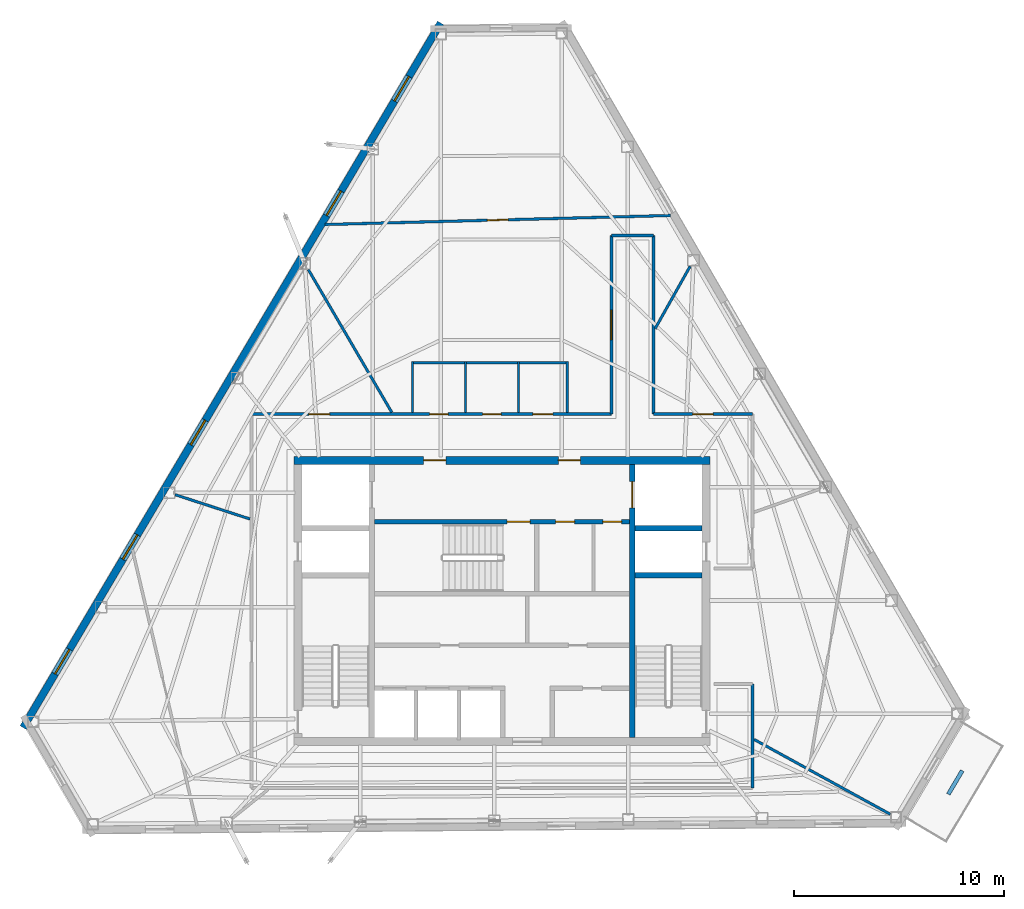
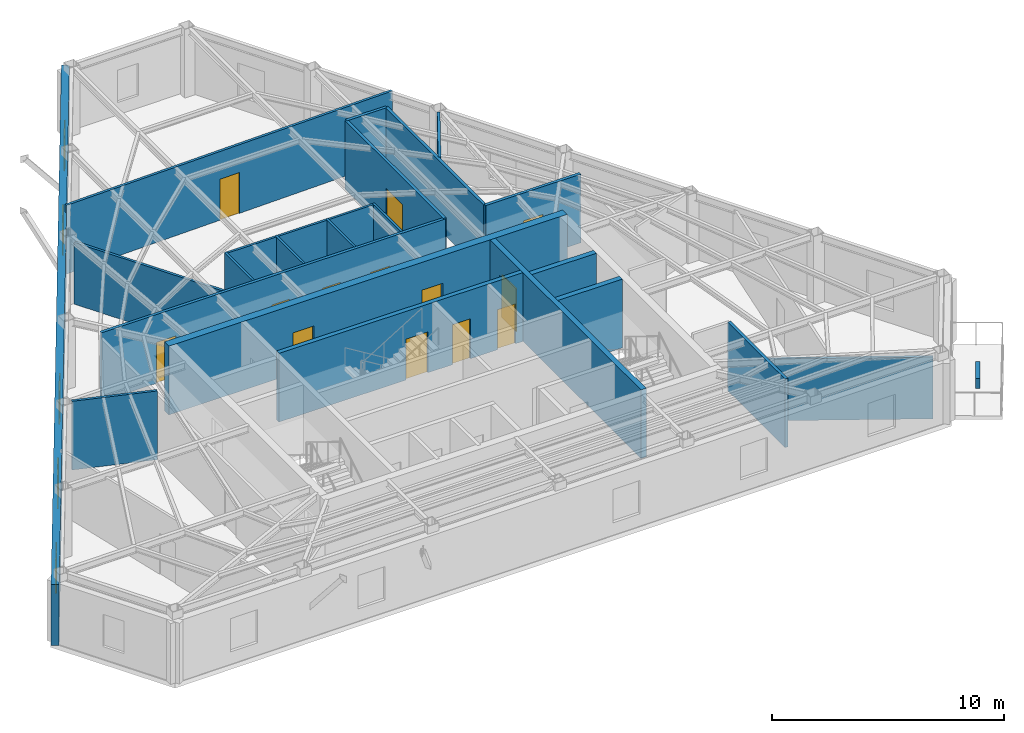
# One storey, part 7 of 10: 23 walls, 13 doors, 5 windows, 18 openings.
"""IFC4 building model written with IfcOpenShell, lengths in metres."""

from ifc_helpers import new_model, si_unit, direction, frame, frame_2d, origin, place, context, subcontext, project, spatial, rectangle, extrude, material, layer, layer_set, type_object, element, fill, save


model = new_model("IFC4")

# Units and contexts
model_context = context("Model", 3, precision=1e-05, world=origin(), true_north=direction((0.0, 1.0)))
body_context = subcontext(model_context, "Body", "Model", "MODEL_VIEW")
ifc_project = project(units=[si_unit("LENGTHUNIT", "METRE"), si_unit("AREAUNIT", "SQUARE_METRE"), si_unit("VOLUMEUNIT", "CUBIC_METRE"), si_unit("PLANEANGLEUNIT", "RADIAN"), si_unit("MASSUNIT", "GRAM", prefix="KILO")], contexts=[model_context])

# Site, building, storey
site_placement = place(None, origin())
site = spatial("IfcSite", under=ifc_project, at=site_placement, CompositionType="ELEMENT")
building_placement = place(site_placement, origin())
building = spatial("IfcBuilding", under=site, at=building_placement, Name="Kavelnor Concourse Tower", CompositionType="ELEMENT")
storey_placement = place(building_placement, frame((0.0, 0.0, 281.85009765625)))
storey = spatial("IfcBuildingStorey", under=building, at=storey_placement, Name="L71", CompositionType="ELEMENT", Elevation=281.85009765625)

# Wall, openings, doors
ifc_material_1 = material(Name="Concrete C50/60", Category="concrete")
ifc_layer_1 = layer(ifc_material_1, 0.3798828125, Name="Concrete C50/60")
ifc_layer_set_1 = layer_set([ifc_layer_1], Name="Concrete C50/60")
wall_type_1 = type_object("IfcWallType", Name="WL-CORE-Z4-380", PredefinedType="SOLIDWALL", material=ifc_layer_set_1)
wall_1_placement = place(storey_placement, frame((28.10009765625, 22.7900390625, 0.0), z_axis=(0.0, 0.0, 1.0), x_axis=(1.0, 0.0, 0.0)))
wall_1 = element("IfcWall", 1, at=wall_1_placement, inside=storey, type_object=wall_type_1, Name="L71 Central Core North Shear Wall", PredefinedType="SOLIDWALL", context=body_context, shape_type="SweptSolid", body=[
    extrude(rectangle(XDim=19.7998046875, YDim=0.3798828125, at=frame_2d((9.89990234375, 0.0))), origin(), (0.0, 0.0, 1.0), 3.60986328125),
])
opening_1_placement = place(wall_1_placement, frame((6.175048828125, 0.0, 0.0)))
opening_1 = element("IfcOpeningElement", 2, at=opening_1_placement, cuts=wall_1, Name="Opening FD-105", PredefinedType="OPENING", context=body_context, shape_type="SweptSolid", body=[
    extrude(rectangle(XDim=1.050048828125, YDim=2.14990234375, at=frame_2d((0.52490234375, 1.074951171875))), frame((0.0, 0.199951171875, 0.0), z_axis=(0.0, -1.0, 0.0), x_axis=(1.0, 0.0, 0.0)), (0.0, 0.0, 1.0), 0.39990234375),
])
opening_2_placement = place(wall_1_placement, frame((12.574951171875, 0.0, 0.0)))
opening_2 = element("IfcOpeningElement", 3, at=opening_2_placement, cuts=wall_1, Name="Opening FD-105", PredefinedType="OPENING", context=body_context, shape_type="SweptSolid", body=[
    extrude(rectangle(XDim=1.050048828125, YDim=2.14990234375, at=frame_2d((0.52490234375, 1.074951171875))), frame((0.0, 0.199951171875, 0.0), z_axis=(0.0, -1.0, 0.0), x_axis=(1.0, 0.0, 0.0)), (0.0, 0.0, 1.0), 0.39990234375),
])
ifc_material_2 = material(Name="Steel Grade 350", Category="steel")
door_type_1 = type_object("IfcDoorType", Name="DR-LOBBY-FIRE-1050", OperationType="NOTDEFINED", PredefinedType="DOOR", material=ifc_material_2)
door_1_placement = place(opening_1_placement, origin())
door_1 = element("IfcDoor", 4, at=door_1_placement, inside=storey, type_object=door_type_1, Name="L71 Emergency Lift Lobby West Door", OperationType="SINGLE_SWING_LEFT", OverallHeight=2.14990234375, OverallWidth=1.050048828125, PredefinedType="DOOR", context=body_context, shape_type="SweptSolid", body=[
    extrude(rectangle(XDim=1.050048828125, YDim=2.14990234375, at=frame_2d((0.52490234375, 1.074951171875))), frame((0.0, 0.02490234375, 0.0), z_axis=(0.0, -1.0, 0.0), x_axis=(1.0, 0.0, 0.0)), (0.0, 0.0, 1.0), 0.050048828125),
])
fill(opening_1, door_1)
door_2_placement = place(opening_2_placement, origin())
door_2 = element("IfcDoor", 5, at=door_2_placement, inside=storey, type_object=door_type_1, Name="L71 Emergency Lift Lobby East Door", OperationType="SINGLE_SWING_RIGHT", OverallHeight=2.14990234375, OverallWidth=1.050048828125, PredefinedType="DOOR", context=body_context, shape_type="SweptSolid", body=[
    extrude(rectangle(XDim=1.050048828125, YDim=2.14990234375, at=frame_2d((0.52490234375, 1.074951171875))), frame((0.0, 0.02490234375, 0.0), z_axis=(0.0, -1.0, 0.0), x_axis=(1.0, 0.0, 0.0)), (0.0, 0.0, 1.0), 0.050048828125),
])
fill(opening_2, door_2)

# Wall, openings, windows
ifc_material_3 = material(Name="Red-ochre clay face brick masonry", Category="masonry")
ifc_layer_2 = layer(ifc_material_3, 0.35009765625, Name="Red-ochre clay face brick masonry")
ifc_layer_set_2 = layer_set([ifc_layer_2], Name="Red-ochre clay face brick masonry")
wall_type_2 = type_object("IfcWallType", Name="WL-EXT-RED-BRICK-PIER-350", PredefinedType="STANDARD", material=ifc_layer_set_2)
wall_2_placement = place(storey_placement, frame((15.219482421875, 10.07568359375, 0.0), z_axis=(0.0, 0.0, 1.0), x_axis=(0.509799642177, 0.860293162147, 0.0)))
wall_2 = element("IfcWall", 6, at=wall_2_placement, inside=storey, type_object=wall_type_2, Name="L71 Exterior Brick Facade Wall E1", PredefinedType="STANDARD", context=body_context, shape_type="SweptSolid", body=[
    extrude(rectangle(XDim=38.962890625, YDim=0.35009765625, at=frame_2d((19.4814453125, 0.0))), origin(), (0.0, 0.0, 1.0), 3.19580078125),
])
opening_3_placement = place(wall_2_placement, frame((34.649658203125, 0.0, 0.64990234375)))
opening_3 = element("IfcOpeningElement", 7, at=opening_3_placement, cuts=wall_2, Name="Opening W-04", PredefinedType="OPENING", context=body_context, shape_type="SweptSolid", body=[
    extrude(rectangle(XDim=1.35009765625, YDim=1.75, at=frame_2d((0.675048828125, 0.875))), frame((0.0, 0.18505859375, 0.0), z_axis=(0.0, -1.0, 0.0), x_axis=(1.0, 0.0, 0.0)), (0.0, 0.0, 1.0), 0.3701171875),
])
opening_4_placement = place(wall_2_placement, frame((28.314453125, 0.0, 0.64990234375)))
opening_4 = element("IfcOpeningElement", 8, at=opening_4_placement, cuts=wall_2, Name="Opening W-04", PredefinedType="OPENING", context=body_context, shape_type="SweptSolid", body=[
    extrude(rectangle(XDim=1.35009765625, YDim=1.75, at=frame_2d((0.675048828125, 0.875))), frame((0.0, 0.18505859375, 0.0), z_axis=(0.0, -1.0, 0.0), x_axis=(1.0, 0.0, 0.0)), (0.0, 0.0, 1.0), 0.3701171875),
])
opening_5_placement = place(wall_2_placement, frame((15.64453125, 0.0, 0.64990234375)))
opening_5 = element("IfcOpeningElement", 9, at=opening_5_placement, cuts=wall_2, Name="Opening W-04", PredefinedType="OPENING", context=body_context, shape_type="SweptSolid", body=[
    extrude(rectangle(XDim=1.35009765625, YDim=1.75, at=frame_2d((0.675048828125, 0.875))), frame((0.0, 0.18505859375, 0.0), z_axis=(0.0, -1.0, 0.0), x_axis=(1.0, 0.0, 0.0)), (0.0, 0.0, 1.0), 0.3701171875),
])
opening_6_placement = place(wall_2_placement, frame((9.309326171875, 0.0, 0.64990234375)))
opening_6 = element("IfcOpeningElement", 10, at=opening_6_placement, cuts=wall_2, Name="Opening W-04", PredefinedType="OPENING", context=body_context, shape_type="SweptSolid", body=[
    extrude(rectangle(XDim=1.35009765625, YDim=1.75, at=frame_2d((0.675048828125, 0.875))), frame((0.0, 0.18505859375, 0.0), z_axis=(0.0, -1.0, 0.0), x_axis=(1.0, 0.0, 0.0)), (0.0, 0.0, 1.0), 0.3701171875),
])
opening_7_placement = place(wall_2_placement, frame((2.974365234375, 0.0, 0.64990234375)))
opening_7 = element("IfcOpeningElement", 11, at=opening_7_placement, cuts=wall_2, Name="Opening W-04", PredefinedType="OPENING", context=body_context, shape_type="SweptSolid", body=[
    extrude(rectangle(XDim=1.35009765625, YDim=1.75, at=frame_2d((0.675048828125, 0.875))), frame((0.0, 0.18505859375, 0.0), z_axis=(0.0, -1.0, 0.0), x_axis=(1.0, 0.0, 0.0)), (0.0, 0.0, 1.0), 0.3701171875),
])
ifc_material_4 = material(Name="Double low-E argon insulated glazing", Category="glass")
window_type = type_object("IfcWindowType", Name="WIN-PIER-Z4-1350", PartitioningType="SINGLE_PANEL", PredefinedType="WINDOW", material=ifc_material_4)
window_1_placement = place(opening_3_placement, origin())
window_1 = element("IfcWindow", 12, at=window_1_placement, inside=storey, type_object=window_type, Name="L71 Deep-Set Brick Pier Window F0-B0", OverallHeight=1.75, OverallWidth=1.35009765625, PartitioningType="SINGLE_PANEL", PredefinedType="WINDOW", context=body_context, shape_type="SweptSolid", body=[
    extrude(rectangle(XDim=1.35009765625, YDim=1.75, at=frame_2d((0.675048828125, 0.875))), frame((0.0, 0.030029296875, 0.0), z_axis=(0.0, -1.0, 0.0), x_axis=(1.0, 0.0, 0.0)), (0.0, 0.0, 1.0), 0.06005859375),
])
fill(opening_3, window_1)
window_2_placement = place(opening_4_placement, origin())
window_2 = element("IfcWindow", 13, at=window_2_placement, inside=storey, type_object=window_type, Name="L71 Deep-Set Brick Pier Window F0-B1", OverallHeight=1.75, OverallWidth=1.35009765625, PartitioningType="SINGLE_PANEL", PredefinedType="WINDOW", context=body_context, shape_type="SweptSolid", body=[
    extrude(rectangle(XDim=1.35009765625, YDim=1.75, at=frame_2d((0.675048828125, 0.875))), frame((0.0, 0.030029296875, 0.0), z_axis=(0.0, -1.0, 0.0), x_axis=(1.0, 0.0, 0.0)), (0.0, 0.0, 1.0), 0.06005859375),
])
fill(opening_4, window_2)
window_3_placement = place(opening_5_placement, origin())
window_3 = element("IfcWindow", 14, at=window_3_placement, inside=storey, type_object=window_type, Name="L71 Deep-Set Brick Pier Window F0-B3", OverallHeight=1.75, OverallWidth=1.35009765625, PartitioningType="SINGLE_PANEL", PredefinedType="WINDOW", context=body_context, shape_type="SweptSolid", body=[
    extrude(rectangle(XDim=1.35009765625, YDim=1.75, at=frame_2d((0.675048828125, 0.875))), frame((0.0, 0.030029296875, 0.0), z_axis=(0.0, -1.0, 0.0), x_axis=(1.0, 0.0, 0.0)), (0.0, 0.0, 1.0), 0.06005859375),
])
fill(opening_5, window_3)
window_4_placement = place(opening_6_placement, origin())
window_4 = element("IfcWindow", 15, at=window_4_placement, inside=storey, type_object=window_type, Name="L71 Deep-Set Brick Pier Window F0-B4", OverallHeight=1.75, OverallWidth=1.35009765625, PartitioningType="SINGLE_PANEL", PredefinedType="WINDOW", context=body_context, shape_type="SweptSolid", body=[
    extrude(rectangle(XDim=1.35009765625, YDim=1.75, at=frame_2d((0.675048828125, 0.875))), frame((0.0, 0.030029296875, 0.0), z_axis=(0.0, -1.0, 0.0), x_axis=(1.0, 0.0, 0.0)), (0.0, 0.0, 1.0), 0.06005859375),
])
fill(opening_6, window_4)
window_5_placement = place(opening_7_placement, origin())
window_5 = element("IfcWindow", 16, at=window_5_placement, inside=storey, type_object=window_type, Name="L71 Deep-Set Brick Pier Window F0-B5", OverallHeight=1.75, OverallWidth=1.35009765625, PartitioningType="SINGLE_PANEL", PredefinedType="WINDOW", context=body_context, shape_type="SweptSolid", body=[
    extrude(rectangle(XDim=1.35009765625, YDim=1.75, at=frame_2d((0.675048828125, 0.875))), frame((0.0, 0.030029296875, 0.0), z_axis=(0.0, -1.0, 0.0), x_axis=(1.0, 0.0, 0.0)), (0.0, 0.0, 1.0), 0.06005859375),
])
fill(opening_7, window_5)

# Wall, opening, door
ifc_material_5 = material(Name="Gypsum plasterboard on light-gauge steel studs", Category="steel")
ifc_layer_3 = layer(ifc_material_5, 0.14501953125, Name="Gypsum plasterboard on light-gauge steel studs")
ifc_layer_set_3 = layer_set([ifc_layer_3], Name="Gypsum plasterboard on light-gauge steel studs")
wall_type_3 = type_object("IfcWallType", Name="WL-INT-CORR-145", PredefinedType="PARTITIONING", material=ifc_layer_set_3)
wall_3_placement = place(storey_placement, frame((43.199951171875, 24.989990234375, 0.0), z_axis=(0.0, 0.0, 1.0), x_axis=(0.0, 1.0, 0.0)))
wall_3 = element("IfcWall", 17, at=wall_3_placement, inside=storey, type_object=wall_type_3, Name="L71 Corridor Wall WL-L71-CR-01", PredefinedType="PARTITIONING", context=body_context, shape_type="SweptSolid", body=[
    extrude(rectangle(XDim=8.4921875, YDim=0.14501953125, at=frame_2d((4.24609375, 0.0))), origin(), (0.0, 0.0, 1.0), 3.60986328125),
])
opening_8_placement = place(wall_3_placement, frame((3.5458984375, 0.0, 0.0)))
opening_8 = element("IfcOpeningElement", 18, at=opening_8_placement, cuts=wall_3, Name="Opening SD-140", PredefinedType="OPENING", context=body_context, shape_type="SweptSolid", body=[
    extrude(rectangle(XDim=1.39990234375, YDim=2.199951171875, at=frame_2d((0.699951171875, 1.10009765625))), frame((0.0, 0.08251953125, 0.0), z_axis=(0.0, -1.0, 0.0), x_axis=(1.0, 0.0, 0.0)), (0.0, 0.0, 1.0), 0.1650390625),
])
ifc_material_6 = material(Name="Solid-core hardwood timber", Category="wood")
door_type_2 = type_object("IfcDoorType", Name="DR-SUITE-ENTRY-1400", OperationType="NOTDEFINED", PredefinedType="DOOR", material=ifc_material_6)
door_3_placement = place(opening_8_placement, origin())
door_3 = element("IfcDoor", 19, at=door_3_placement, inside=storey, type_object=door_type_2, Name="L71 Building Staff Breakroom 02 Door", OperationType="SINGLE_SWING_RIGHT", OverallHeight=2.199951171875, OverallWidth=1.39990234375, PredefinedType="DOOR", context=body_context, shape_type="SweptSolid", body=[
    extrude(rectangle(XDim=1.39990234375, YDim=2.199951171875, at=frame_2d((0.699951171875, 1.10009765625))), frame((0.0, 0.02490234375, 0.0), z_axis=(0.0, -1.0, 0.0), x_axis=(1.0, 0.0, 0.0)), (0.0, 0.0, 1.0), 0.050048828125),
])
fill(opening_8, door_3)

# Walls
wall_4_placement = place(storey_placement, frame((43.199951171875, 33.482177734375, 0.0), z_axis=(0.0, 0.0, 1.0), x_axis=(1.0, 0.0, 0.0)))
element("IfcWall", 20, at=wall_4_placement, inside=storey, type_object=wall_type_3, Name="L71 Corridor Wall WL-L71-CR-02", PredefinedType="PARTITIONING", context=body_context, shape_type="SweptSolid", body=[
    extrude(rectangle(XDim=2.0, YDim=0.14501953125, at=frame_2d((1.0, 0.0))), origin(), (0.0, 0.0, 1.0), 3.60986328125),
])
wall_5_placement = place(storey_placement, frame((45.199951171875, 33.482177734375, 0.0), z_axis=(0.0, 0.0, 1.0), x_axis=(0.0, -1.0, 0.0)))
element("IfcWall", 21, at=wall_5_placement, inside=storey, type_object=wall_type_3, Name="L71 Corridor Wall WL-L71-CR-03", PredefinedType="PARTITIONING", context=body_context, shape_type="SweptSolid", body=[
    extrude(rectangle(XDim=8.4921875, YDim=0.14501953125, at=frame_2d((4.24609375, 0.0))), origin(), (0.0, 0.0, 1.0), 3.60986328125),
])

# Wall, opening, door
wall_6_placement = place(storey_placement, frame((45.199951171875, 24.989990234375, 0.0), z_axis=(0.0, 0.0, 1.0), x_axis=(1.0, 0.0, 0.0)))
wall_6 = element("IfcWall", 22, at=wall_6_placement, inside=storey, type_object=wall_type_3, Name="L71 Corridor Wall WL-L71-CR-04", PredefinedType="PARTITIONING", context=body_context, shape_type="SweptSolid", body=[
    extrude(rectangle(XDim=4.7099609375, YDim=0.14501953125, at=frame_2d((2.35498046875, 0.0))), origin(), (0.0, 0.0, 1.0), 3.60986328125),
])
opening_9_placement = place(wall_6_placement, frame((1.864990234375, 0.0, 0.0)))
opening_9 = element("IfcOpeningElement", 23, at=opening_9_placement, cuts=wall_6, Name="Opening OD-098", PredefinedType="OPENING", context=body_context, shape_type="SweptSolid", body=[
    extrude(rectangle(XDim=0.97998046875, YDim=2.14990234375, at=frame_2d((0.489990234375, 1.074951171875))), frame((0.0, 0.08251953125, 0.0), z_axis=(0.0, -1.0, 0.0), x_axis=(1.0, 0.0, 0.0)), (0.0, 0.0, 1.0), 0.1650390625),
])
door_type_3 = type_object("IfcDoorType", Name="DR-OFFICE-980", OperationType="NOTDEFINED", PredefinedType="DOOR", material=ifc_material_6)
door_4_placement = place(opening_9_placement, origin())
door_4 = element("IfcDoor", 24, at=door_4_placement, inside=storey, type_object=door_type_3, Name="L71 Architectural Design Studio 01 Door", OperationType="SINGLE_SWING_LEFT", OverallHeight=2.14990234375, OverallWidth=0.97998046875, PredefinedType="DOOR", context=body_context, shape_type="SweptSolid", body=[
    extrude(rectangle(XDim=0.97998046875, YDim=2.14990234375, at=frame_2d((0.489990234375, 1.074951171875))), frame((0.0, 0.02490234375, 0.0), z_axis=(0.0, -1.0, 0.0), x_axis=(1.0, 0.0, 0.0)), (0.0, 0.0, 1.0), 0.050048828125),
])
fill(opening_9, door_4)

# Wall
wall_7_placement = place(storey_placement, frame((49.909912109375, 12.14990234375, 0.0), z_axis=(0.0, 0.0, 1.0), x_axis=(0.0, -1.0, 0.0)))
element("IfcWall", 25, at=wall_7_placement, inside=storey, type_object=wall_type_3, Name="L71 Corridor Wall WL-L71-CR-08", PredefinedType="PARTITIONING", context=body_context, shape_type="SweptSolid", body=[
    extrude(rectangle(XDim=4.93994140625, YDim=0.14501953125, at=frame_2d((2.469970703125, 0.0))), origin(), (0.0, 0.0, 1.0), 3.60986328125),
])

# Wall, openings, doors
wall_8_placement = place(storey_placement, frame((26.090087890625, 24.989990234375, 0.0), z_axis=(0.0, 0.0, 1.0), x_axis=(1.0, 0.0, 0.0)))
wall_8 = element("IfcWall", 26, at=wall_8_placement, inside=storey, type_object=wall_type_3, Name="L71 Corridor Wall WL-L71-CR-11", PredefinedType="PARTITIONING", context=body_context, shape_type="SweptSolid", body=[
    extrude(rectangle(XDim=17.10986328125, YDim=0.14501953125, at=frame_2d((8.554931640625, 0.0))), origin(), (0.0, 0.0, 1.0), 3.60986328125),
])
opening_10_placement = place(wall_8_placement, frame((8.469970703125, 0.0, 0.0)))
opening_10 = element("IfcOpeningElement", 27, at=opening_10_placement, cuts=wall_8, Name="Opening WD-088", PredefinedType="OPENING", context=body_context, shape_type="SweptSolid", body=[
    extrude(rectangle(XDim=0.8798828125, YDim=2.10009765625, at=frame_2d((0.43994140625, 1.050048828125))), frame((0.0, 0.08251953125, 0.0), z_axis=(0.0, -1.0, 0.0), x_axis=(1.0, 0.0, 0.0)), (0.0, 0.0, 1.0), 0.1650390625),
])
opening_11_placement = place(wall_8_placement, frame((10.989990234375, 0.0, 0.0)))
opening_11 = element("IfcOpeningElement", 28, at=opening_11_placement, cuts=wall_8, Name="Opening WD-088", PredefinedType="OPENING", context=body_context, shape_type="SweptSolid", body=[
    extrude(rectangle(XDim=0.8798828125, YDim=2.10009765625, at=frame_2d((0.43994140625, 1.050048828125))), frame((0.0, 0.08251953125, 0.0), z_axis=(0.0, -1.0, 0.0), x_axis=(1.0, 0.0, 0.0)), (0.0, 0.0, 1.0), 0.1650390625),
])
opening_12_placement = place(wall_8_placement, frame((13.3701171875, 0.0, 0.0)))
opening_12 = element("IfcOpeningElement", 29, at=opening_12_placement, cuts=wall_8, Name="Opening WD-096", PredefinedType="OPENING", context=body_context, shape_type="SweptSolid", body=[
    extrude(rectangle(XDim=0.9599609375, YDim=2.10009765625, at=frame_2d((0.47998046875, 1.050048828125))), frame((0.0, 0.08251953125, 0.0), z_axis=(0.0, -1.0, 0.0), x_axis=(1.0, 0.0, 0.0)), (0.0, 0.0, 1.0), 0.1650390625),
])
opening_13_placement = place(wall_8_placement, frame((2.72607421875, 0.0, 0.0)))
opening_13 = element("IfcOpeningElement", 30, at=opening_13_placement, cuts=wall_8, Name="Opening OD-098", PredefinedType="OPENING", context=body_context, shape_type="SweptSolid", body=[
    extrude(rectangle(XDim=0.97998046875, YDim=2.14990234375, at=frame_2d((0.489990234375, 1.074951171875))), frame((0.0, 0.08251953125, 0.0), z_axis=(0.0, -1.0, 0.0), x_axis=(1.0, 0.0, 0.0)), (0.0, 0.0, 1.0), 0.1650390625),
])
door_5_placement = place(opening_13_placement, origin())
door_5 = element("IfcDoor", 31, at=door_5_placement, inside=storey, type_object=door_type_3, Name="L71 Architectural Design Studio 04 Door", OperationType="SINGLE_SWING_RIGHT", OverallHeight=2.14990234375, OverallWidth=0.97998046875, PredefinedType="DOOR", context=body_context, shape_type="SweptSolid", body=[
    extrude(rectangle(XDim=0.97998046875, YDim=2.14990234375, at=frame_2d((0.489990234375, 1.074951171875))), frame((0.0, 0.02490234375, 0.0), z_axis=(0.0, -1.0, 0.0), x_axis=(1.0, 0.0, 0.0)), (0.0, 0.0, 1.0), 0.050048828125),
])
fill(opening_13, door_5)
door_type_4 = type_object("IfcDoorType", Name="DR-WC-ACC-960", OperationType="NOTDEFINED", PredefinedType="DOOR", material=ifc_material_6)
door_6_placement = place(opening_12_placement, origin())
door_6 = element("IfcDoor", 32, at=door_6_placement, inside=storey, type_object=door_type_4, Name="L71 Accessible WC Door", OperationType="SINGLE_SWING_RIGHT", OverallHeight=2.10009765625, OverallWidth=0.9599609375, PredefinedType="DOOR", context=body_context, shape_type="SweptSolid", body=[
    extrude(rectangle(XDim=0.9599609375, YDim=2.10009765625, at=frame_2d((0.47998046875, 1.050048828125))), frame((0.0, 0.02490234375, 0.0), z_axis=(0.0, -1.0, 0.0), x_axis=(1.0, 0.0, 0.0)), (0.0, 0.0, 1.0), 0.050048828125),
])
fill(opening_12, door_6)
door_type_5 = type_object("IfcDoorType", Name="DR-WC-STD-880", OperationType="NOTDEFINED", PredefinedType="DOOR", material=ifc_material_6)
door_7_placement = place(opening_10_placement, origin())
door_7 = element("IfcDoor", 33, at=door_7_placement, inside=storey, type_object=door_type_5, Name="L71 Male WC Door", OperationType="SINGLE_SWING_RIGHT", OverallHeight=2.10009765625, OverallWidth=0.8798828125, PredefinedType="DOOR", context=body_context, shape_type="SweptSolid", body=[
    extrude(rectangle(XDim=0.8798828125, YDim=2.10009765625, at=frame_2d((0.43994140625, 1.050048828125))), frame((0.0, 0.02490234375, 0.0), z_axis=(0.0, -1.0, 0.0), x_axis=(1.0, 0.0, 0.0)), (0.0, 0.0, 1.0), 0.050048828125),
])
fill(opening_10, door_7)
door_8_placement = place(opening_11_placement, origin())
door_8 = element("IfcDoor", 34, at=door_8_placement, inside=storey, type_object=door_type_5, Name="L71 Female WC Door", OperationType="SINGLE_SWING_LEFT", OverallHeight=2.10009765625, OverallWidth=0.8798828125, PredefinedType="DOOR", context=body_context, shape_type="SweptSolid", body=[
    extrude(rectangle(XDim=0.8798828125, YDim=2.10009765625, at=frame_2d((0.43994140625, 1.050048828125))), frame((0.0, 0.02490234375, 0.0), z_axis=(0.0, -1.0, 0.0), x_axis=(1.0, 0.0, 0.0)), (0.0, 0.0, 1.0), 0.050048828125),
])
fill(opening_11, door_8)

# Walls
ifc_layer_4 = layer(ifc_material_5, 0.125, Name="Gypsum plasterboard on light-gauge steel studs")
ifc_layer_set_4 = layer_set([ifc_layer_4], Name="Gypsum plasterboard on light-gauge steel studs")
wall_type_4 = type_object("IfcWallType", Name="WL-INT-SUITE-125", PredefinedType="PARTITIONING", material=ifc_layer_set_4)
wall_9_placement = place(storey_placement, frame((45.280517578125, 29.055908203125, 0.0), z_axis=(0.0, 0.0, 1.0), x_axis=(0.489889843692, 0.871784343199, 0.0)))
element("IfcWall", 35, at=wall_9_placement, inside=storey, type_object=wall_type_4, Name="L71 Radial Suite Partition 02", PredefinedType="PARTITIONING", context=body_context, shape_type="SweptSolid", body=[
    extrude(rectangle(XDim=3.40234375, YDim=0.125, at=frame_2d((1.701171875, 0.0))), origin(), (0.0, 0.0, 1.0), 3.60986328125),
])
wall_10_placement = place(storey_placement, frame((32.755859375, 25.070556640625, 0.0), z_axis=(0.0, 0.0, 1.0), x_axis=(-0.50468093624, 0.863305943797, 0.0)))
element("IfcWall", 36, at=wall_10_placement, inside=storey, type_object=wall_type_4, Name="L71 Radial Suite Partition 03", PredefinedType="PARTITIONING", context=body_context, shape_type="SweptSolid", body=[
    extrude(rectangle(XDim=7.86962890625, YDim=0.125, at=frame_2d((3.934814453125, 0.0))), origin(), (0.0, 0.0, 1.0), 3.245849609375),
])
wall_11_placement = place(storey_placement, frame((26.009521484375, 19.99951171875, 0.0), z_axis=(0.0, 0.0, 1.0), x_axis=(-0.950989069634, 0.309224496824, 0.0)))
element("IfcWall", 37, at=wall_11_placement, inside=storey, type_object=wall_type_4, Name="L71 Radial Suite Partition 04", PredefinedType="PARTITIONING", context=body_context, shape_type="SweptSolid", body=[
    extrude(rectangle(XDim=3.748779296875, YDim=0.125, at=frame_2d((1.87451171875, 0.0))), origin(), (0.0, 0.0, 1.0), 3.60986328125),
])
wall_12_placement = place(storey_placement, frame((49.990478515625, 9.5126953125, 0.0), z_axis=(0.0, 0.0, 1.0), x_axis=(0.876449336432, -0.481494092039, 0.0)))
element("IfcWall", 38, at=wall_12_placement, inside=storey, type_object=wall_type_4, Name="L71 Radial Suite Partition 06", PredefinedType="PARTITIONING", context=body_context, shape_type="SweptSolid", body=[
    extrude(rectangle(XDim=7.394287109375, YDim=0.125, at=frame_2d((3.697265625, 0.0))), origin(), (0.0, 0.0, 1.0), 3.245849609375),
])

# Wall, opening, door
wall_13_placement = place(storey_placement, frame((46.010498046875, 34.43798828125, 0.0), z_axis=(0.0, 0.0, 1.0), x_axis=(-0.999657997506, -0.026151252802, 0.0)))
wall_13 = element("IfcWall", 39, at=wall_13_placement, inside=storey, type_object=wall_type_4, Name="L71 Suite Subdivision Partition 02", PredefinedType="PARTITIONING", context=body_context, shape_type="SweptSolid", body=[
    extrude(rectangle(XDim=16.440185546875, YDim=0.125, at=frame_2d((8.22021484375, 0.0))), origin(), (0.0, 0.0, 1.0), 3.60986328125),
])
opening_14_placement = place(wall_13_placement, frame((7.72998046875, 0.0, 0.0)))
opening_14 = element("IfcOpeningElement", 40, at=opening_14_placement, cuts=wall_13, Name="Opening OD-098", PredefinedType="OPENING", context=body_context, shape_type="SweptSolid", body=[
    extrude(rectangle(XDim=0.97998046875, YDim=2.14990234375, at=frame_2d((0.489990234375, 1.074951171875))), frame((0.0, 0.072509765625, 0.0), z_axis=(0.0, -1.0, 0.0), x_axis=(1.0, 0.0, 0.0)), (0.0, 0.0, 1.0), 0.14501953125),
])
door_9_placement = place(opening_14_placement, origin())
door_9 = element("IfcDoor", 41, at=door_9_placement, inside=storey, type_object=door_type_3, Name="L71 Staff Breakout Pantry 03 Door", OperationType="SINGLE_SWING_LEFT", OverallHeight=2.14990234375, OverallWidth=0.97998046875, PredefinedType="DOOR", context=body_context, shape_type="SweptSolid", body=[
    extrude(rectangle(XDim=0.97998046875, YDim=2.14990234375, at=frame_2d((0.489990234375, 1.074951171875))), frame((0.0, 0.02490234375, 0.0), z_axis=(0.0, -1.0, 0.0), x_axis=(1.0, 0.0, 0.0)), (0.0, 0.0, 1.0), 0.050048828125),
])
fill(opening_14, door_9)

# Walls
ifc_layer_5 = layer(ifc_material_5, 0.110107421875, Name="Gypsum plasterboard on light-gauge steel studs")
ifc_layer_set_5 = layer_set([ifc_layer_5], Name="Gypsum plasterboard on light-gauge steel studs")
wall_type_5 = type_object("IfcWallType", Name="WL-INT-WC-110", PredefinedType="PLUMBINGWALL", material=ifc_layer_set_5)
for number, where, z_axis, x_axis, name in (
    (42, (33.739990234375, 25.06005859375, 0.0), (0.0, 0.0, 1.0), (0.0, 1.0, 0.0), "L71 Sanitary Partition WL-L71-WC-W"),
    (43, (36.260009765625, 25.06005859375, 0.0), (0.0, 0.0, 1.0), (0.0, 1.0, 0.0), "L71 Sanitary Partition WL-L71-WC-D1"),
    (44, (38.780029296875, 25.06005859375, 0.0), (0.0, 0.0, 1.0), (0.0, 1.0, 0.0), "L71 Sanitary Partition WL-L71-WC-D2"),
    (45, (41.10009765625, 25.06005859375, 0.0), (0.0, 0.0, 1.0), (0.0, 1.0, 0.0), "L71 Sanitary Partition WL-L71-WC-E"),
):
    element("IfcWall", number, at=place(storey_placement, frame(where, z_axis=z_axis, x_axis=x_axis)), inside=storey, type_object=wall_type_5, Name=name, PredefinedType="PLUMBINGWALL", context=body_context, shape_type="SweptSolid", body=[
        extrude(rectangle(XDim=2.43994140625, YDim=0.110107421875, at=frame_2d((1.219970703125, 0.0))), origin(), (0.0, 0.0, 1.0), 3.60986328125),
    ])
wall_14_placement = place(storey_placement, frame((33.68994140625, 27.43994140625, 0.0), z_axis=(0.0, 0.0, 1.0), x_axis=(1.0, 0.0, 0.0)))
element("IfcWall", 46, at=wall_14_placement, inside=storey, type_object=wall_type_5, Name="L71 Sanitary Partition WL-L71-WC-N", PredefinedType="PLUMBINGWALL", context=body_context, shape_type="SweptSolid", body=[
    extrude(rectangle(XDim=7.4599609375, YDim=0.110107421875, at=frame_2d((3.72998046875, 0.0))), origin(), (0.0, 0.0, 1.0), 3.60986328125),
])
ifc_material_7 = material(Name="Architectural precast planter concrete C40/50", Category="concrete")
ifc_layer_6 = layer(ifc_material_7, 0.18994140625, Name="Architectural precast planter concrete C40/50")
ifc_layer_set_6 = layer_set([ifc_layer_6], Name="Architectural precast planter concrete C40/50")
wall_type_6 = type_object("IfcWallType", Name="WL-PLANTER-KERB-190", PredefinedType="USERDEFINED", material=ifc_layer_set_6)
wall_15_placement = place(storey_placement, frame((59.22900390625, 6.9072265625, 0.0), z_axis=(0.0, 0.0, 1.0), x_axis=(0.509709722903, 0.860346440905, 0.0)))
element("IfcWall", 47, at=wall_15_placement, inside=storey, type_object=wall_type_6, Name="L71 Spiral Terrace Landscaped Planter Kerb", ObjectType="PLANTER", PredefinedType="USERDEFINED", context=body_context, shape_type="SweptSolid", body=[
    extrude(rectangle(XDim=1.300048828125, YDim=0.18994140625, at=frame_2d((0.64990234375, 0.0))), origin(), (0.0, 0.0, 1.0), 0.52001953125),
])

# Wall, openings, doors
ifc_layer_7 = layer(ifc_material_1, 0.219970703125, Name="Concrete C50/60")
ifc_layer_set_7 = layer_set([ifc_layer_7], Name="Concrete C50/60")
wall_type_7 = type_object("IfcWallType", Name="WL-SHAFT-220", PredefinedType="SOLIDWALL", material=ifc_layer_set_7)
wall_16_placement = place(storey_placement, frame((31.93994140625, 19.8701171875, 0.0), z_axis=(0.0, 0.0, 1.0), x_axis=(1.0, 0.0, 0.0)))
wall_16 = element("IfcWall", 48, at=wall_16_placement, inside=storey, type_object=wall_type_7, Name="L71 Emergency Lift Lobby South Wall", PredefinedType="SOLIDWALL", context=body_context, shape_type="SweptSolid", body=[
    extrude(rectangle(XDim=12.1201171875, YDim=0.219970703125, at=frame_2d((6.06005859375, 0.0))), origin(), (0.0, 0.0, 1.0), 3.60986328125),
])
opening_15_placement = place(wall_16_placement, frame((6.300048828125, 0.0, 0.0)))
opening_15 = element("IfcOpeningElement", 49, at=opening_15_placement, cuts=wall_16, Name="Opening FD-110", PredefinedType="OPENING", context=body_context, shape_type="SweptSolid", body=[
    extrude(rectangle(XDim=1.10009765625, YDim=2.14990234375, at=frame_2d((0.550048828125, 1.074951171875))), frame((0.0, 0.1201171875, 0.0), z_axis=(0.0, -1.0, 0.0), x_axis=(1.0, 0.0, 0.0)), (0.0, 0.0, 1.0), 0.239990234375),
])
opening_16_placement = place(wall_16_placement, frame((8.610107421875, 0.0, 0.0)))
opening_16 = element("IfcOpeningElement", 50, at=opening_16_placement, cuts=wall_16, Name="Opening FD-090", PredefinedType="OPENING", context=body_context, shape_type="SweptSolid", body=[
    extrude(rectangle(XDim=0.89990234375, YDim=2.10009765625, at=frame_2d((0.449951171875, 1.050048828125))), frame((0.0, 0.1201171875, 0.0), z_axis=(0.0, -1.0, 0.0), x_axis=(1.0, 0.0, 0.0)), (0.0, 0.0, 1.0), 0.239990234375),
])
opening_17_placement = place(wall_16_placement, frame((10.85009765625, 0.0, 0.0)))
opening_17 = element("IfcOpeningElement", 51, at=opening_17_placement, cuts=wall_16, Name="Opening FD-090", PredefinedType="OPENING", context=body_context, shape_type="SweptSolid", body=[
    extrude(rectangle(XDim=0.89990234375, YDim=2.10009765625, at=frame_2d((0.449951171875, 1.050048828125))), frame((0.0, 0.1201171875, 0.0), z_axis=(0.0, -1.0, 0.0), x_axis=(1.0, 0.0, 0.0)), (0.0, 0.0, 1.0), 0.239990234375),
])
door_type_6 = type_object("IfcDoorType", Name="DR-RISER-FIRE-900", OperationType="NOTDEFINED", PredefinedType="DOOR", material=ifc_material_2)
door_10_placement = place(opening_16_placement, origin())
door_10 = element("IfcDoor", 52, at=door_10_placement, inside=storey, type_object=door_type_6, Name="L71 Electrical Room Door", OperationType="SINGLE_SWING_LEFT", OverallHeight=2.10009765625, OverallWidth=0.89990234375, PredefinedType="DOOR", context=body_context, shape_type="SweptSolid", body=[
    extrude(rectangle(XDim=0.89990234375, YDim=2.10009765625, at=frame_2d((0.449951171875, 1.050048828125))), frame((0.0, 0.02490234375, 0.0), z_axis=(0.0, -1.0, 0.0), x_axis=(1.0, 0.0, 0.0)), (0.0, 0.0, 1.0), 0.050048828125),
])
fill(opening_16, door_10)
door_11_placement = place(opening_17_placement, origin())
door_11 = element("IfcDoor", 53, at=door_11_placement, inside=storey, type_object=door_type_6, Name="L71 Cleaner Store Door", OperationType="SINGLE_SWING_RIGHT", OverallHeight=2.10009765625, OverallWidth=0.89990234375, PredefinedType="DOOR", context=body_context, shape_type="SweptSolid", body=[
    extrude(rectangle(XDim=0.89990234375, YDim=2.10009765625, at=frame_2d((0.449951171875, 1.050048828125))), frame((0.0, 0.02490234375, 0.0), z_axis=(0.0, -1.0, 0.0), x_axis=(1.0, 0.0, 0.0)), (0.0, 0.0, 1.0), 0.050048828125),
])
fill(opening_17, door_11)
door_type_7 = type_object("IfcDoorType", Name="DR-STAIR-FIRE-1100", OperationType="NOTDEFINED", PredefinedType="DOOR", material=ifc_material_2)
door_12_placement = place(opening_15_placement, origin())
door_12 = element("IfcDoor", 54, at=door_12_placement, inside=storey, type_object=door_type_7, Name="L71 Stair ST3 Fire Door", OperationType="SINGLE_SWING_LEFT", OverallHeight=2.14990234375, OverallWidth=1.10009765625, PredefinedType="DOOR", context=body_context, shape_type="SweptSolid", body=[
    extrude(rectangle(XDim=1.10009765625, YDim=2.14990234375, at=frame_2d((0.550048828125, 1.074951171875))), frame((0.0, 0.02490234375, 0.0), z_axis=(0.0, -1.0, 0.0), x_axis=(1.0, 0.0, 0.0)), (0.0, 0.0, 1.0), 0.050048828125),
])
fill(opening_15, door_12)

# Wall, opening, door
ifc_layer_8 = layer(ifc_material_1, 0.260009765625, Name="Concrete C50/60")
ifc_layer_set_8 = layer_set([ifc_layer_8], Name="Concrete C50/60")
wall_type_8 = type_object("IfcWallType", Name="WL-SHAFT-260", PredefinedType="SHEAR", material=ifc_layer_set_8)
wall_17_placement = place(storey_placement, frame((44.18994140625, 9.60009765625, 0.0), z_axis=(0.0, 0.0, 1.0), x_axis=(0.0, 1.0, 0.0)))
wall_17 = element("IfcWall", 55, at=wall_17_placement, inside=storey, type_object=wall_type_8, Name="L71 Core East Wing Shear Wall", PredefinedType="SHEAR", context=body_context, shape_type="SweptSolid", body=[
    extrude(rectangle(XDim=13.0, YDim=0.260009765625, at=frame_2d((6.5, 0.0))), origin(), (0.0, 0.0, 1.0), 3.60986328125),
])
opening_18_placement = place(wall_17_placement, frame((10.925048828125, 0.0, 0.0)))
opening_18 = element("IfcOpeningElement", 56, at=opening_18_placement, cuts=wall_17, Name="Opening LD-125", PredefinedType="OPENING", context=body_context, shape_type="SweptSolid", body=[
    extrude(rectangle(XDim=1.25, YDim=2.25, at=frame_2d((0.625, 1.125))), frame((0.0, 0.14013671875, 0.0), z_axis=(0.0, -1.0, 0.0), x_axis=(1.0, 0.0, 0.0)), (0.0, 0.0, 1.0), 0.280029296875),
])
door_type_8 = type_object("IfcDoorType", Name="DR-LIFT-SLIDING-1250", OperationType="NOTDEFINED", PredefinedType="DOOR", material=ifc_material_2)
door_13_placement = place(opening_18_placement, origin())
door_13 = element("IfcDoor", 57, at=door_13_placement, inside=storey, type_object=door_type_8, Name="L71 Emergency Lift FL2 Landing Door", OperationType="DOUBLE_DOOR_SLIDING", OverallHeight=2.25, OverallWidth=1.25, PredefinedType="DOOR", context=body_context, shape_type="SweptSolid", body=[
    extrude(rectangle(XDim=1.25, YDim=2.25, at=frame_2d((0.625, 1.125))), frame((0.0, 0.02490234375, 0.0), z_axis=(0.0, -1.0, 0.0), x_axis=(1.0, 0.0, 0.0)), (0.0, 0.0, 1.0), 0.050048828125),
])
fill(opening_18, door_13)

# Walls
for number, where, z_axis, x_axis, name in (
    (58, (44.320068359375, 17.330078125, 0.0), (0.0, 0.0, 1.0), (1.0, 0.0, 0.0), "L71 Stair ST2 North Shaft Wall"),
    (59, (44.320068359375, 19.570068359375, 0.0), (0.0, 0.0, 1.0), (1.0, 0.0, 0.0), "L71 Emergency Lift FL2 South Shaft Wall"),
):
    element("IfcWall", number, at=place(storey_placement, frame(where, z_axis=z_axis, x_axis=x_axis)), inside=storey, type_object=wall_type_8, Name=name, PredefinedType="SHEAR", context=body_context, shape_type="SweptSolid", body=[
        extrude(rectangle(XDim=3.199951171875, YDim=0.260009765625, at=frame_2d((1.60009765625, 0.0))), origin(), (0.0, 0.0, 1.0), 3.60986328125),
    ])

save(model, "model.ifc")
